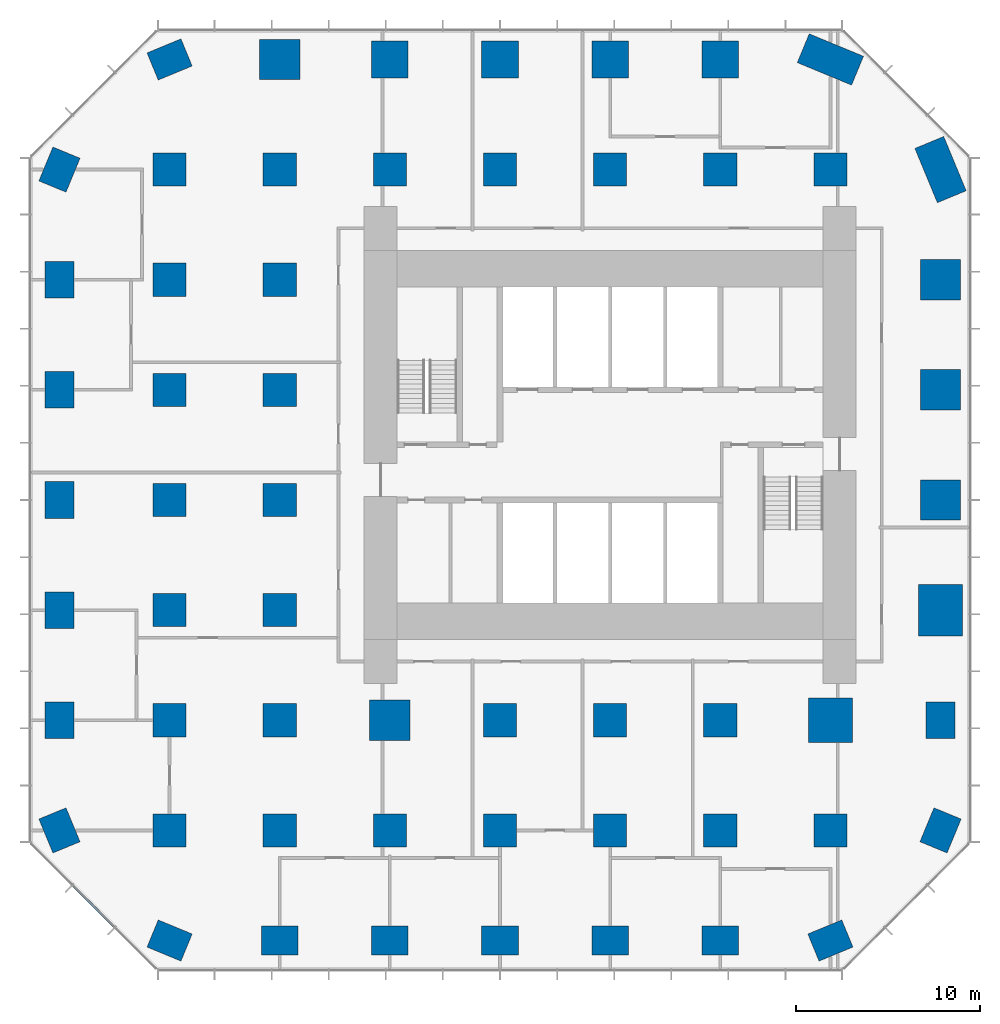
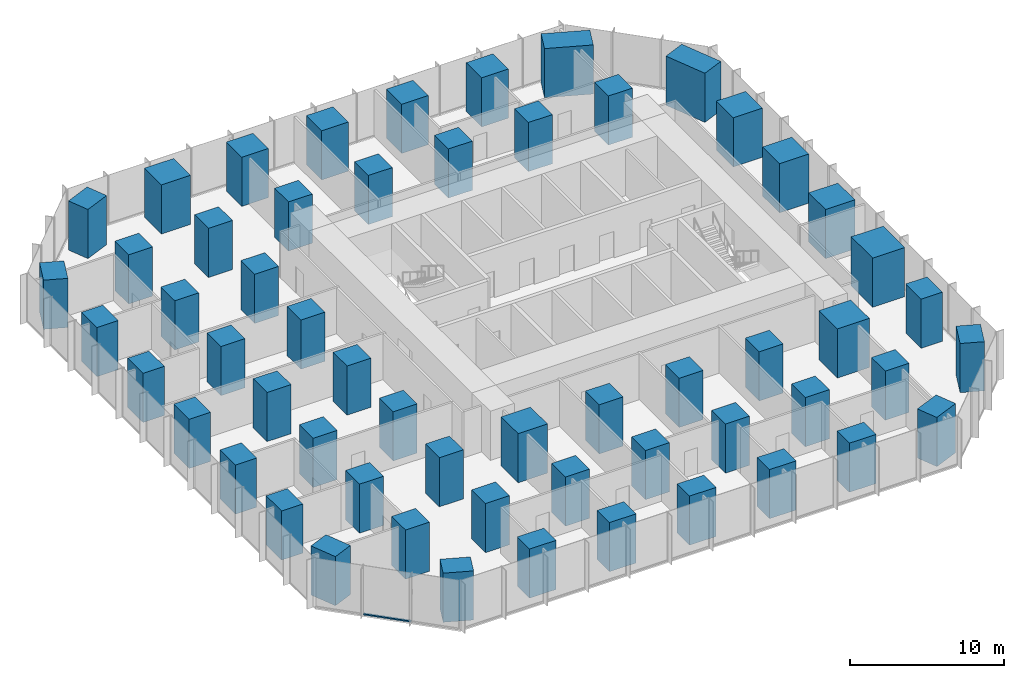
# One storey, part 1 of 12: 57 columns, 1 member, 1 element without a shape of its own.
"""IFC4 building model written with IfcOpenShell, lengths in metres."""

import ifcopenshell
import ifcopenshell.guid

model = None  # the IFC model being written
_history = None  # IfcOwnerHistory: only IFC2X3 demands one
_inside = {}  # id of a spatial element -> (the spatial element, [elements in it])
_under = {}  # id of a project, library or spatial element -> (it, [spatial elements below it])
_declared = {}  # id of a project -> (the project, [libraries it declares])
_typed = {}  # id of a type object -> (the type object, [elements of that type])
_made_of = {}  # id of a material, layer set ... -> (it, [elements and type objects made of it])


def new_model(schema):
    """Start an empty IFC model of exactly this schema.

    Asked for "IFC4X3", IfcOpenShell would pick the latest addendum, in which some entities
    have other attributes; the version numbers below select the first issue.
    IFC2X3 requires an IfcOwnerHistory on every rooted entity: one is made here for all.
    """
    global model, _history
    if schema == "IFC4X3":
        model = ifcopenshell.file(schema_version=(4, 3, 0, 0))
    else:
        model = ifcopenshell.file(schema=schema)
    _inside.clear()
    _under.clear()
    _declared.clear()
    _typed.clear()
    _made_of.clear()
    _history = None
    if model.schema == "IFC2X3":
        org = make("IfcOrganization", Name="unknown")
        user = make(
            "IfcPersonAndOrganization",
            ThePerson=make("IfcPerson", FamilyName="unknown"),
            TheOrganization=org,
        )
        app = make(
            "IfcApplication",
            ApplicationDeveloper=org,
            Version="unknown",
            ApplicationFullName="unknown",
            ApplicationIdentifier="unknown",
        )
        _history = make(
            "IfcOwnerHistory",
            OwningUser=user,
            OwningApplication=app,
            ChangeAction="ADDED",
            CreationDate=0,
        )
    return model


def make(cls, **values):
    """One entity of the class cls with the attributes given. An attribute that is None is left unset."""
    return model.create_entity(
        cls, **{name: value for name, value in values.items() if value is not None}
    )


def rooted(cls, **values):
    """An entity with a GlobalId (a new one), such as an element, a storey or a relation."""
    return make(cls, GlobalId=ifcopenshell.guid.new(), OwnerHistory=_history, **values)


def si_unit(unit_type, name, prefix=None):
    """IfcSIUnit, for example si_unit("LENGTHUNIT", "METRE", prefix="MILLI")."""
    return make("IfcSIUnit", UnitType=unit_type, Prefix=prefix, Name=name)


def assignment(units):
    """IfcUnitAssignment: the units of a project."""
    return None if units is None else make("IfcUnitAssignment", Units=units)


def point(xyz):
    """IfcCartesianPoint."""
    return None if xyz is None else make("IfcCartesianPoint", Coordinates=xyz)


def direction(xyz):
    """IfcDirection."""
    return None if xyz is None else make("IfcDirection", DirectionRatios=xyz)


def frame(location, z_axis=None, x_axis=None):
    """IfcAxis2Placement3D, a coordinate frame: its origin and axes. An axis left out is left unset."""
    return make(
        "IfcAxis2Placement3D",
        Location=point(location),
        Axis=direction(z_axis),
        RefDirection=direction(x_axis),
    )


def frame_2d(location, x_axis=None):
    """IfcAxis2Placement2D, a coordinate frame in the plane: its origin and x axis."""
    return make(
        "IfcAxis2Placement2D", Location=point(location), RefDirection=direction(x_axis)
    )


def origin():
    """The frame at (0, 0, 0) with its axes left unset."""
    return frame((0.0, 0.0, 0.0))


def origin_2d():
    """The frame at (0, 0) in the plane with its x axis left unset."""
    return frame_2d((0.0, 0.0))


def place(relative_to, where):
    """IfcLocalPlacement: puts the frame where relative to a parent placement (None: the world)."""
    return make(
        "IfcLocalPlacement", PlacementRelTo=relative_to, RelativePlacement=where
    )


def context(
    kind, dimensions, precision=None, world=None, true_north=None, identifier=None
):
    """IfcGeometricRepresentationContext, for example the 3D "Model" context."""
    return make(
        "IfcGeometricRepresentationContext",
        ContextIdentifier=identifier,
        ContextType=kind,
        CoordinateSpaceDimension=dimensions,
        Precision=precision,
        WorldCoordinateSystem=world,
        TrueNorth=true_north,
    )


def subcontext(parent, identifier, kind, view, scale=None):
    """IfcGeometricRepresentationSubContext, for example "Body" below "Model"."""
    return make(
        "IfcGeometricRepresentationSubContext",
        ContextIdentifier=identifier,
        ContextType=kind,
        ParentContext=parent,
        TargetScale=scale,
        TargetView=view,
    )


def project(units=None, contexts=None):
    """IfcProject with its units and contexts."""
    return rooted(
        "IfcProject",
        Name="project",
        RepresentationContexts=contexts,
        UnitsInContext=assignment(units),
    )


def spatial(cls, under=None, at=None, **own):
    """A site, building, storey or space (cls), placed at a placement, below another one or the project."""
    s = rooted(cls, ObjectPlacement=at, **own)
    if under is not None:
        _under.setdefault(under.id(), (under, []))[1].append(s)
    return s


def profile(cls, at=None, kind="AREA", **sizes):
    """A parametric profile (cls). Its sizes go by their IFC names, for example OverallWidth=200.0."""
    return make(cls, ProfileType=kind, Position=at, **sizes)


def rectangle(**sizes):
    """IfcRectangleProfileDef."""
    return profile("IfcRectangleProfileDef", **sizes)


def extrude(swept, where, along, depth):
    """IfcExtrudedAreaSolid: the profile swept, set in the frame where, extruded along a direction by depth."""
    return make(
        "IfcExtrudedAreaSolid",
        SweptArea=swept,
        Position=where,
        ExtrudedDirection=direction(along),
        Depth=depth,
    )


def shape(context_of_items, identifier, shape_type, items):
    """IfcShapeRepresentation: the items that make up one representation, for example the "Body"."""
    return make(
        "IfcShapeRepresentation",
        ContextOfItems=context_of_items,
        RepresentationIdentifier=identifier,
        RepresentationType=shape_type,
        Items=items,
    )


def material(Name=None, Category=None):
    """IfcMaterial."""
    return make("IfcMaterial", Name=Name, Category=Category)


def layer(
    of_material, thickness, ventilated=None, Name=None, Category=None, Priority=None
):
    """IfcMaterialLayer: one layer of a wall or slab, of a material (None: an air gap)."""
    return make(
        "IfcMaterialLayer",
        Material=of_material,
        LayerThickness=thickness,
        IsVentilated=ventilated,
        Name=Name,
        Category=Category,
        Priority=Priority,
    )


def layer_set(layers, Name=None):
    """IfcMaterialLayerSet."""
    return make("IfcMaterialLayerSet", MaterialLayers=layers, LayerSetName=Name)


def material_profile(
    of_material, cross_section, Name=None, Category=None, Priority=None
):
    """IfcMaterialProfile: a cross section and its material."""
    return make(
        "IfcMaterialProfile",
        Name=Name,
        Material=of_material,
        Profile=cross_section,
        Priority=Priority,
        Category=Category,
    )


def profile_set(profiles, Name=None, composite=None):
    """IfcMaterialProfileSet."""
    return make(
        "IfcMaterialProfileSet",
        Name=Name,
        MaterialProfiles=profiles,
        CompositeProfile=composite,
    )


def made_of(thing, what):
    """Note that an element or type object is made of a material, layer set ...; save() writes the relation."""
    if what is not None:
        _made_of.setdefault(what.id(), (what, []))[1].append(thing)
    return thing


def type_object(cls, material=None, **own):
    """A type object (cls), such as IfcWallType, which elements share."""
    return made_of(rooted(cls, **own), material)


def element(
    cls,
    number,
    at=None,
    inside=None,
    cuts=None,
    type_object=None,
    material=None,
    context=None,
    identifier="Body",
    shape_type=None,
    held_by="IfcProductDefinitionShape",
    body=None,
    shapes=None,
    **own,
):
    """One element of the class cls, such as IfcWall. Its Tag is "e" and its number.

    at: its placement. inside: the storey or other place that contains it. cuts: it is an
    opening in that element (IfcRelVoidsElement). A single representation is given by context,
    identifier, shape_type and body (its items); several are given by shapes. held_by: the class
    of the entity that holds the representations. save() writes the other relations.
    """
    e = rooted(cls, Tag="e%d" % number, ObjectPlacement=at, **own)
    if body is not None:
        shapes = [shape(context, identifier, shape_type, body)]
    if shapes is not None:
        e.Representation = make(held_by, Representations=shapes)
    if inside is not None:
        _inside.setdefault(inside.id(), (inside, []))[1].append(e)
    if cuts is not None:
        rooted(
            "IfcRelVoidsElement", RelatingBuildingElement=cuts, RelatedOpeningElement=e
        )
    if type_object is not None:
        _typed.setdefault(type_object.id(), (type_object, []))[1].append(e)
    return made_of(e, material)


def aggregate(whole, parts):
    """IfcRelAggregates: a whole, such as a stair, and the parts it consists of."""
    return rooted("IfcRelAggregates", RelatingObject=whole, RelatedObjects=parts)


def save(model, path):
    """Write the relations noted so far, then the file.

    IfcRelAggregates (storeys below a building ...), IfcRelContainedInSpatialStructure (elements
    in a storey), IfcRelDefinesByType, IfcRelAssociatesMaterial and IfcRelDeclares: one each for
    every whole, place, type object, material and project.
    """
    for whole, parts in _under.values():
        aggregate(whole, parts)
    for where, things in _inside.values():
        rooted(
            "IfcRelContainedInSpatialStructure",
            RelatedElements=things,
            RelatingStructure=where,
        )
    for kind, things in _typed.values():
        rooted("IfcRelDefinesByType", RelatedObjects=things, RelatingType=kind)
    for what, things in _made_of.values():
        rooted("IfcRelAssociatesMaterial", RelatedObjects=things, RelatingMaterial=what)
    for by, libraries in _declared.values():
        rooted("IfcRelDeclares", RelatingContext=by, RelatedDefinitions=libraries)
    model.write(path)


model = new_model("IFC4")

# Units and contexts
model_context = context("Model", 3, precision=1e-05, world=origin(), true_north=direction((0.0, 1.0)))
body_context = subcontext(model_context, "Body", "Model", "MODEL_VIEW")
ifc_project = project(units=[si_unit("LENGTHUNIT", "METRE"), si_unit("AREAUNIT", "SQUARE_METRE"), si_unit("VOLUMEUNIT", "CUBIC_METRE"), si_unit("PLANEANGLEUNIT", "RADIAN"), si_unit("MASSUNIT", "GRAM", prefix="KILO")], contexts=[model_context])

# Site, building, storey
site_placement = place(None, origin())
site = spatial("IfcSite", under=ifc_project, at=site_placement, CompositionType="ELEMENT")
building_placement = place(site_placement, origin())
building = spatial("IfcBuilding", under=site, at=building_placement, Name="Highveld Stack Headquarters", CompositionType="ELEMENT")
storey_placement = place(building_placement, frame((0.0, 0.0, 26.0)))
storey = spatial("IfcBuildingStorey", under=building, at=storey_placement, Name="L05", CompositionType="ELEMENT", Elevation=26.0)

# Columns
ifc_material_1 = material(Name="Concrete C60/75", Category="concrete")
ifc_material_profile_1 = material_profile(ifc_material_1, rectangle(XDim=1.800048828125, YDim=1.800048828125, at=origin_2d()), Name="RC 1800x1800")
ifc_profile_set_1 = profile_set([ifc_material_profile_1], Name="Concrete C60/75")
column_type_1 = type_object("IfcColumnType", Name="COLUMN RC 1800x1800 C60/75", PredefinedType="COLUMN", material=ifc_profile_set_1)
for number, where, z_axis, x_axis, name in (
    (1, (-18.0, -18.0, 0.0), (0.0, 0.0, 1.0), (1.0, 0.0, 0.0), "Column 3/B L05"),
    (2, (-18.0, -12.0, 0.0), (0.0, 0.0, 1.0), (1.0, 0.0, 0.0), "Column 3/C L05"),
    (3, (-18.0, -6.0, 0.0), (0.0, 0.0, 1.0), (1.0, 0.0, 0.0), "Column 3/D L05"),
    (4, (-18.0, 0.0, 0.0), (0.0, 0.0, 1.0), (1.0, 0.0, 0.0), "Column 3/E L05"),
    (5, (-18.0, 6.0, 0.0), (0.0, 0.0, 1.0), (1.0, 0.0, 0.0), "Column 3/F L05"),
    (6, (-18.0, 12.0, 0.0), (0.0, 0.0, 1.0), (1.0, 0.0, 0.0), "Column 3/G L05"),
    (7, (-18.0, 18.0, 0.0), (0.0, 0.0, 1.0), (1.0, 0.0, 0.0), "Column 3/H L05"),
    (8, (-12.0, -18.0, 0.0), (0.0, 0.0, 1.0), (1.0, 0.0, 0.0), "Column 4/B L05"),
    (9, (-12.0, -12.0, 0.0), (0.0, 0.0, 1.0), (1.0, 0.0, 0.0), "Column 4/C L05"),
    (10, (-12.0, -6.0, 0.0), (0.0, 0.0, 1.0), (1.0, 0.0, 0.0), "Column 4/D L05"),
    (11, (-12.0, 0.0, 0.0), (0.0, 0.0, 1.0), (1.0, 0.0, 0.0), "Column 4/E L05"),
    (12, (-12.0, 6.0, 0.0), (0.0, 0.0, 1.0), (1.0, 0.0, 0.0), "Column 4/F L05"),
    (13, (-12.0, 12.0, 0.0), (0.0, 0.0, 1.0), (1.0, 0.0, 0.0), "Column 4/G L05"),
    (14, (-12.0, 18.0, 0.0), (0.0, 0.0, 1.0), (1.0, 0.0, 0.0), "Column 4/H L05"),
    (15, (-6.0, -18.0, 0.0), (0.0, 0.0, 1.0), (1.0, 0.0, 0.0), "Column 5/B L05"),
    (16, (-6.0, 18.0, 0.0), (0.0, 0.0, 1.0), (1.0, 0.0, 0.0), "Column 5/H L05"),
    (17, (0.0, -18.0, 0.0), (0.0, 0.0, 1.0), (1.0, 0.0, 0.0), "Column 6/B L05"),
    (18, (0.0, -12.0, 0.0), (0.0, 0.0, 1.0), (1.0, 0.0, 0.0), "Column 6/C L05"),
    (19, (0.0, 18.0, 0.0), (0.0, 0.0, 1.0), (1.0, 0.0, 0.0), "Column 6/H L05"),
    (20, (6.0, -18.0, 0.0), (0.0, 0.0, 1.0), (1.0, 0.0, 0.0), "Column 7/B L05"),
    (21, (6.0, -12.0, 0.0), (0.0, 0.0, 1.0), (1.0, 0.0, 0.0), "Column 7/C L05"),
    (22, (6.0, 18.0, 0.0), (0.0, 0.0, 1.0), (1.0, 0.0, 0.0), "Column 7/H L05"),
    (23, (12.0, -18.0, 0.0), (0.0, 0.0, 1.0), (1.0, 0.0, 0.0), "Column 8/B L05"),
    (24, (12.0, -12.0, 0.0), (0.0, 0.0, 1.0), (1.0, 0.0, 0.0), "Column 8/C L05"),
    (25, (12.0, 18.0, 0.0), (0.0, 0.0, 1.0), (1.0, 0.0, 0.0), "Column 8/H L05"),
    (26, (18.0, -18.0, 0.0), (0.0, 0.0, 1.0), (1.0, 0.0, 0.0), "Column 9/B L05"),
    (27, (18.0, 18.0, 0.0), (0.0, 0.0, 1.0), (1.0, 0.0, 0.0), "Column 9/H L05"),
):
    element("IfcColumn", number, at=place(storey_placement, frame(where, z_axis=z_axis, x_axis=x_axis)), inside=storey, type_object=column_type_1, Name=name, PredefinedType="COLUMN", context=body_context, shape_type="SweptSolid", body=[
        extrude(rectangle(XDim=1.800048828125, YDim=1.800048828125, at=origin_2d()), origin(), (0.0, 0.0, 1.0), 3.89990234375),
    ])
ifc_material_2 = material(Name="Concrete C60/75", Category="concrete")
ifc_material_profile_2 = material_profile(ifc_material_2, rectangle(XDim=2.0, YDim=1.60009765625, at=origin_2d()), Name="RC 2000x1600")
ifc_profile_set_2 = profile_set([ifc_material_profile_2], Name="Concrete C60/75")
column_type_2 = type_object("IfcColumnType", Name="COLUMN RC 2000x1600 C60/75", PredefinedType="COLUMN", material=ifc_profile_set_2)
for number, where, z_axis, x_axis, name in (
    (28, (-24.0, -18.0, 0.0), (0.0, 0.0, 1.0), (-0.382683432365, 0.923879532511, 0.0), "Column 2/B L05"),
    (29, (-24.0, -12.0, 0.0), (0.0, 0.0, 1.0), (0.0, 1.0, 0.0), "Column 2/C L05"),
    (30, (-24.0, -6.0, 0.0), (0.0, 0.0, 1.0), (0.0, 1.0, 0.0), "Column 2/D L05"),
    (31, (-24.0, 0.0, 0.0), (0.0, 0.0, 1.0), (0.0, 1.0, 0.0), "Column 2/E L05"),
    (32, (-24.0, 6.0, 0.0), (0.0, 0.0, 1.0), (0.0, 1.0, 0.0), "Column 2/F L05"),
    (33, (-24.0, 12.0, 0.0), (0.0, 0.0, 1.0), (0.0, 1.0, 0.0), "Column 2/G L05"),
    (34, (-24.0, 18.0, 0.0), (0.0, 0.0, 1.0), (0.382683432365, 0.923879532511, 0.0), "Column 2/H L05"),
    (35, (-18.0, -24.0, 0.0), (0.0, 0.0, 1.0), (-0.923879532511, 0.382683432365, 0.0), "Column 3/A L05"),
    (36, (-18.0, 24.0, 0.0), (0.0, 0.0, 1.0), (0.923879532511, 0.382683432365, 0.0), "Column 3/J L05"),
    (37, (-12.0, -24.0, 0.0), (0.0, 0.0, 1.0), (1.0, 0.0, 0.0), "Column 4/A L05"),
    (38, (-6.0, -24.0, 0.0), (0.0, 0.0, 1.0), (1.0, 0.0, 0.0), "Column 5/A L05"),
    (39, (0.0, -24.0, 0.0), (0.0, 0.0, 1.0), (1.0, 0.0, 0.0), "Column 6/A L05"),
    (40, (6.0, -24.0, 0.0), (0.0, 0.0, 1.0), (1.0, 0.0, 0.0), "Column 7/A L05"),
    (41, (12.0, -24.0, 0.0), (0.0, 0.0, 1.0), (1.0, 0.0, 0.0), "Column 8/A L05"),
    (42, (18.0, -24.0, 0.0), (0.0, 0.0, 1.0), (-0.923879532511, -0.382683432365, 0.0), "Column 9/A L05"),
    (43, (24.0, -18.0, 0.0), (0.0, 0.0, 1.0), (-0.382683432365, -0.923879532511, 0.0), "Column 10/B L05"),
    (44, (24.0, -12.0, 0.0), (0.0, 0.0, 1.0), (0.0, 1.0, 0.0), "Column 10/C L05"),
):
    element("IfcColumn", number, at=place(storey_placement, frame(where, z_axis=z_axis, x_axis=x_axis)), inside=storey, type_object=column_type_2, Name=name, PredefinedType="COLUMN", context=body_context, shape_type="SweptSolid", body=[
        extrude(rectangle(XDim=2.0, YDim=1.60009765625, at=origin_2d()), origin(), (0.0, 0.0, 1.0), 3.89990234375),
    ])
ifc_material_3 = material(Name="Concrete C60/75", Category="concrete")
ifc_material_profile_3 = material_profile(ifc_material_3, rectangle(XDim=2.0, YDim=2.0, at=origin_2d()), Name="RC 2000x2000")
ifc_profile_set_3 = profile_set([ifc_material_profile_3], Name="Concrete C60/75")
column_type_3 = type_object("IfcColumnType", Name="COLUMN RC 2000x2000 C60/75", PredefinedType="COLUMN", material=ifc_profile_set_3)
for number, where, z_axis, x_axis, name in (
    (45, (-6.0, 24.0, 0.0), (0.0, 0.0, 1.0), (1.0, 0.0, 0.0), "Column 5/J L05"),
    (46, (0.0, 24.0, 0.0), (0.0, 0.0, 1.0), (1.0, 0.0, 0.0), "Column 6/J L05"),
    (47, (6.0, 24.0, 0.0), (0.0, 0.0, 1.0), (1.0, 0.0, 0.0), "Column 7/J L05"),
    (48, (12.0, 24.0, 0.0), (0.0, 0.0, 1.0), (1.0, 0.0, 0.0), "Column 8/J L05"),
):
    element("IfcColumn", number, at=place(storey_placement, frame(where, z_axis=z_axis, x_axis=x_axis)), inside=storey, type_object=column_type_3, Name=name, PredefinedType="COLUMN", context=body_context, shape_type="SweptSolid", body=[
        extrude(rectangle(XDim=2.0, YDim=2.0, at=origin_2d()), origin(), (0.0, 0.0, 1.0), 3.89990234375),
    ])
ifc_material_4 = material(Name="Concrete C60/75", Category="concrete")
ifc_material_profile_4 = material_profile(ifc_material_4, rectangle(XDim=2.199951171875, YDim=2.199951171875, at=origin_2d()), Name="RC 2200x2200")
ifc_profile_set_4 = profile_set([ifc_material_profile_4], Name="Concrete C60/75")
column_type_4 = type_object("IfcColumnType", Name="COLUMN RC 2200x2200 C60/75", PredefinedType="COLUMN", material=ifc_profile_set_4)
for number, where, z_axis, x_axis, name in (
    (49, (-12.0, 24.0, 0.0), (0.0, 0.0, 1.0), (1.0, 0.0, 0.0), "Column 4/J L05"),
    (50, (-6.0, -12.0, 0.0), (0.0, 0.0, 1.0), (1.0, 0.0, 0.0), "Column 5/C L05"),
    (51, (24.0, 0.0, 0.0), (0.0, 0.0, 1.0), (1.0, 0.0, 0.0), "Column 10/E L05"),
    (52, (24.0, 6.0, 0.0), (0.0, 0.0, 1.0), (1.0, 0.0, 0.0), "Column 10/F L05"),
    (53, (24.0, 12.0, 0.0), (0.0, 0.0, 1.0), (1.0, 0.0, 0.0), "Column 10/G L05"),
):
    element("IfcColumn", number, at=place(storey_placement, frame(where, z_axis=z_axis, x_axis=x_axis)), inside=storey, type_object=column_type_4, Name=name, PredefinedType="COLUMN", context=body_context, shape_type="SweptSolid", body=[
        extrude(rectangle(XDim=2.199951171875, YDim=2.199951171875, at=origin_2d()), origin(), (0.0, 0.0, 1.0), 3.89990234375),
    ])
ifc_material_5 = material(Name="Concrete C60/75", Category="concrete")
ifc_material_profile_5 = material_profile(ifc_material_5, rectangle(XDim=2.39990234375, YDim=2.39990234375, at=origin_2d()), Name="RC 2400x2400")
ifc_profile_set_5 = profile_set([ifc_material_profile_5], Name="Concrete C60/75")
column_type_5 = type_object("IfcColumnType", Name="COLUMN RC 2400x2400 C60/75", PredefinedType="COLUMN", material=ifc_profile_set_5)
column_1_placement = place(storey_placement, frame((18.0, -12.0, 0.0), z_axis=(0.0, 0.0, 1.0), x_axis=(1.0, 0.0, 0.0)))
element("IfcColumn", 54, at=column_1_placement, inside=storey, type_object=column_type_5, Name="Column 9/C L05", PredefinedType="COLUMN", context=body_context, shape_type="SweptSolid", body=[
    extrude(rectangle(XDim=2.39990234375, YDim=2.39990234375, at=origin_2d()), origin(), (0.0, 0.0, 1.0), 3.89990234375),
])
ifc_material_6 = material(Name="Concrete C60/75", Category="concrete")
ifc_material_profile_6 = material_profile(ifc_material_6, rectangle(XDim=2.800048828125, YDim=2.39990234375, at=origin_2d()), Name="RC 2800x2400")
ifc_profile_set_6 = profile_set([ifc_material_profile_6], Name="Concrete C60/75")
column_type_6 = type_object("IfcColumnType", Name="COLUMN RC 2800x2400 C60/75", PredefinedType="COLUMN", material=ifc_profile_set_6)
column_2_placement = place(storey_placement, frame((24.0, -6.0, 0.0), z_axis=(0.0, 0.0, 1.0), x_axis=(0.0, 1.0, 0.0)))
element("IfcColumn", 55, at=column_2_placement, inside=storey, type_object=column_type_6, Name="Column 10/D L05", PredefinedType="COLUMN", context=body_context, shape_type="SweptSolid", body=[
    extrude(rectangle(XDim=2.800048828125, YDim=2.39990234375, at=origin_2d()), origin(), (0.0, 0.0, 1.0), 3.89990234375),
])
ifc_material_7 = material(Name="Concrete C60/75", Category="concrete")
ifc_material_profile_7 = material_profile(ifc_material_7, rectangle(XDim=3.199951171875, YDim=1.699951171875, at=origin_2d()), Name="RC 3200x1700")
ifc_profile_set_7 = profile_set([ifc_material_profile_7], Name="Concrete C60/75")
column_type_7 = type_object("IfcColumnType", Name="COLUMN RC 3200x1700 C60/75", PredefinedType="COLUMN", material=ifc_profile_set_7)
for number, where, z_axis, x_axis, name in (
    (56, (18.0, 24.0, 0.0), (0.0, 0.0, 1.0), (0.923879532511, -0.382683432365, 0.0), "Column 9/J L05"),
    (57, (24.0, 18.0, 0.0), (0.0, 0.0, 1.0), (0.382683432365, -0.923879532511, 0.0), "Column 10/H L05"),
):
    element("IfcColumn", number, at=place(storey_placement, frame(where, z_axis=z_axis, x_axis=x_axis)), inside=storey, type_object=column_type_7, Name=name, PredefinedType="COLUMN", context=body_context, shape_type="SweptSolid", body=[
        extrude(rectangle(XDim=3.199951171875, YDim=1.699951171875, at=origin_2d()), origin(), (0.0, 0.0, 1.0), 3.89990234375),
    ])

# Curtain wall, member
ifc_material_8 = material(Name="Aluminium bronze anodised", Category="aluminium")
ifc_layer = layer(ifc_material_8, 0.199951171875)
ifc_layer_set = layer_set([ifc_layer], Name="Aluminium bronze anodised")
curtain_wall_type = type_object("IfcCurtainWallType", Name="CW2 TOWER CHAMFER UNITISED CURTAIN WALL", PredefinedType="NOTDEFINED", material=ifc_layer_set)
curtain_wall_placement = place(storey_placement, origin())
curtain_wall = element("IfcCurtainWall", 58, at=curtain_wall_placement, inside=storey, type_object=curtain_wall_type, Name="Curtain wall CW2 L05 SW", PredefinedType="NOTDEFINED")
ifc_material_9 = material(Name="Aluminium bronze anodised", Category="aluminium")
ifc_material_profile_8 = material_profile(ifc_material_9, rectangle(XDim=0.14990234375, YDim=0.10009765625, at=origin_2d()), Name="CW2 TRANSOM 150x100")
ifc_profile_set_8 = profile_set([ifc_material_profile_8], Name="Aluminium bronze anodised")
member_type = type_object("IfcMemberType", Name="CW2 STACK TRANSOM 150x100", PredefinedType="USERDEFINED", material=ifc_profile_set_8)
member_placement = place(storey_placement, frame((-23.2646484375, -20.998046875, 0.050048828125), z_axis=(0.707106781187, -0.707106781187, 0.0), x_axis=(0.707106781187, 0.707106781187, 0.0)))
member = element("IfcMember", 59, at=member_placement, type_object=member_type, Name="CW2 transom L05 2.1", ObjectType="TRANSOM", PredefinedType="USERDEFINED", context=body_context, shape_type="SweptSolid", body=[
    extrude(rectangle(XDim=0.14990234375, YDim=0.10009765625, at=origin_2d()), origin(), (0.0, 0.0, 1.0), 3.20556640625),
])
aggregate(curtain_wall, [member])

save(model, "model.ifc")
